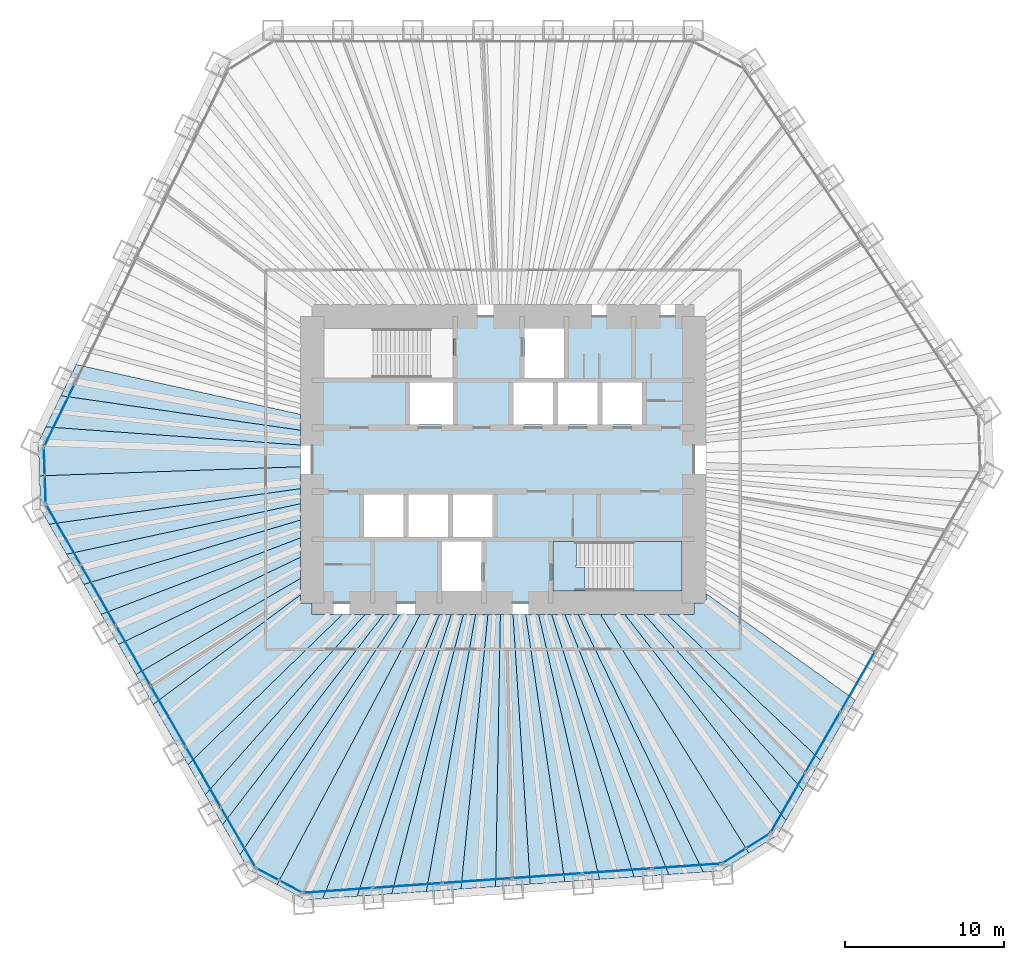
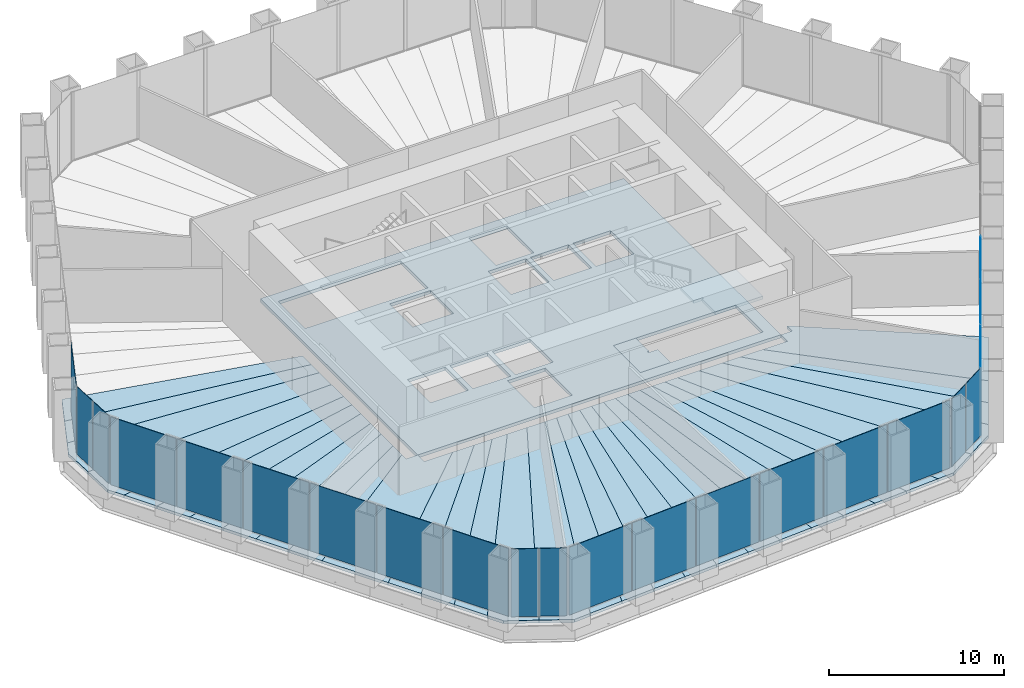
# One storey, part 8 of 14: 35 slabs, 22 plates, 8 elements without a shape of their own.
"""IFC4 building model written with IfcOpenShell, lengths in metres."""

from ifc_helpers import new_model, si_unit, direction, frame, origin, origin_2d, place, context, subcontext, project, spatial, polyline, rectangle, outline, extrude, material, layer, layer_set, type_object, element, aggregate, save


model = new_model("IFC4")

# Units and contexts
model_context = context("Model", 3, precision=1e-05, world=origin(), true_north=direction((0.0, 1.0)))
body_context = subcontext(model_context, "Body", "Model", "MODEL_VIEW")
ifc_project = project(units=[si_unit("LENGTHUNIT", "METRE"), si_unit("AREAUNIT", "SQUARE_METRE"), si_unit("VOLUMEUNIT", "CUBIC_METRE"), si_unit("PLANEANGLEUNIT", "RADIAN"), si_unit("MASSUNIT", "GRAM", prefix="KILO")], contexts=[model_context])

# Site, building, storey
site_placement = place(None, origin())
site = spatial("IfcSite", under=ifc_project, at=site_placement, CompositionType="ELEMENT")
building_placement = place(site_placement, origin())
building = spatial("IfcBuilding", under=site, at=building_placement, Name="Qingtian Harvest Tower", CompositionType="ELEMENT")
storey_placement = place(building_placement, frame((0.0, 0.0, 52.0)))
storey = spatial("IfcBuildingStorey", under=building, at=storey_placement, Name="L10", CompositionType="ELEMENT", Elevation=52.0)

# Slabs
ifc_material_1 = material(Name="Concrete fc' 35 MPa", Category="concrete")
ifc_layer_1 = layer(ifc_material_1, 0.199951171875)
ifc_layer_set_1 = layer_set([ifc_layer_1], Name="Composite floor slab FS20 200")
slab_type_1 = type_object("IfcSlabType", Name="Composite floor slab FS20 200", PredefinedType="FLOOR", material=ifc_layer_set_1)
slab_1_placement = place(storey_placement, frame((0.0, 0.0, -0.199951171875)))
element("IfcSlab", 1, at=slab_1_placement, inside=storey, type_object=slab_type_1, Name="Floor slab L10 panel D01", PredefinedType="FLOOR", context=body_context, shape_type="SweptSolid", body=[
    extrude(outline(polyline([(-29.157470703125, -1.018310546875), (-12.75, -0.447509765625), (-12.75, -1.822998046875), (-28.548583984375, -4.062255859375), (-29.08349609375, -3.135986328125), (-29.157470703125, -1.018310546875)])), origin(), (0.0, 0.0, 1.0), 0.199951171875),
])
slab_2_placement = place(storey_placement, frame((0.0, 0.0, -0.199951171875)))
element("IfcSlab", 2, at=slab_2_placement, inside=storey, type_object=slab_type_1, Name="Floor slab L10 panel D02", PredefinedType="FLOOR", context=body_context, shape_type="SweptSolid", body=[
    extrude(outline(polyline([(-12.75, -2.773681640625), (-27.45751953125, -5.9521484375), (-28.548583984375, -4.062255859375), (-12.75, -1.822998046875), (-12.75, -2.773681640625)])), origin(), (0.0, 0.0, 1.0), 0.199951171875),
])
slab_3_placement = place(storey_placement, frame((0.0, 0.0, -0.199951171875)))
element("IfcSlab", 3, at=slab_3_placement, inside=storey, type_object=slab_type_1, Name="Floor slab L10 panel D03", PredefinedType="FLOOR", context=body_context, shape_type="SweptSolid", body=[
    extrude(outline(polyline([(-12.75, -3.80322265625), (-26.366455078125, -7.842041015625), (-27.45751953125, -5.9521484375), (-12.75, -2.773681640625), (-12.75, -3.80322265625)])), origin(), (0.0, 0.0, 1.0), 0.199951171875),
])
slab_4_placement = place(storey_placement, frame((0.0, 0.0, -0.199951171875)))
element("IfcSlab", 4, at=slab_4_placement, inside=storey, type_object=slab_type_1, Name="Floor slab L10 panel D04", PredefinedType="FLOOR", context=body_context, shape_type="SweptSolid", body=[
    extrude(outline(polyline([(-12.75, -4.921875), (-25.275146484375, -9.732177734375), (-26.366455078125, -7.842041015625), (-12.75, -3.80322265625), (-12.75, -4.921875)])), origin(), (0.0, 0.0, 1.0), 0.199951171875),
])
slab_5_placement = place(storey_placement, frame((0.0, 0.0, -0.199951171875)))
element("IfcSlab", 5, at=slab_5_placement, inside=storey, type_object=slab_type_1, Name="Floor slab L10 panel D05", PredefinedType="FLOOR", context=body_context, shape_type="SweptSolid", body=[
    extrude(outline(polyline([(-12.75, -6.141357421875), (-24.18408203125, -11.6220703125), (-25.275146484375, -9.732177734375), (-12.75, -4.921875), (-12.75, -6.141357421875)])), origin(), (0.0, 0.0, 1.0), 0.199951171875),
])
slab_6_placement = place(storey_placement, frame((0.0, 0.0, -0.199951171875)))
element("IfcSlab", 6, at=slab_6_placement, inside=storey, type_object=slab_type_1, Name="Floor slab L10 panel D06", PredefinedType="FLOOR", context=body_context, shape_type="SweptSolid", body=[
    extrude(outline(polyline([(-12.75, -7.4765625), (-23.0927734375, -13.511962890625), (-24.18408203125, -11.6220703125), (-12.75, -6.141357421875), (-12.75, -7.4765625)])), origin(), (0.0, 0.0, 1.0), 0.199951171875),
])
slab_7_placement = place(storey_placement, frame((0.0, 0.0, -0.199951171875)))
element("IfcSlab", 7, at=slab_7_placement, inside=storey, type_object=slab_type_1, Name="Floor slab L10 panel D07", PredefinedType="FLOOR", context=body_context, shape_type="SweptSolid", body=[
    extrude(outline(polyline([(-12.75, -8.512451171875), (-22.00537109375, -15.3955078125), (-23.0927734375, -13.511962890625), (-12.75, -7.4765625), (-12.75, -8.512451171875)])), origin(), (0.0, 0.0, 1.0), 0.199951171875),
])
slab_8_placement = place(storey_placement, frame((0.0, 0.0, -0.199951171875)))
element("IfcSlab", 8, at=slab_8_placement, inside=storey, type_object=slab_type_1, Name="Floor slab L10 panel D09", PredefinedType="FLOOR", context=body_context, shape_type="SweptSolid", body=[
    extrude(outline(polyline([(-19.81982421875, -19.18115234375), (-22.00537109375, -15.3955078125), (-12.75, -8.512451171875), (-12.75, -9.0), (-12.0, -9.0), (-12.0, -9.75), (-10.1123046875, -9.75), (-19.81982421875, -19.18115234375)])), origin(), (0.0, 0.0, 1.0), 0.199951171875),
])
slab_9_placement = place(storey_placement, frame((0.0, 0.0, -0.199951171875)))
element("IfcSlab", 9, at=slab_9_placement, inside=storey, type_object=slab_type_1, Name="Floor slab L10 panel D10", PredefinedType="FLOOR", context=body_context, shape_type="SweptSolid", body=[
    extrude(outline(polyline([(-8.694580078125, -9.75), (-18.728515625, -21.0712890625), (-19.81982421875, -19.18115234375), (-10.1123046875, -9.75), (-8.694580078125, -9.75)])), origin(), (0.0, 0.0, 1.0), 0.199951171875),
])
slab_10_placement = place(storey_placement, frame((0.0, 0.0, -0.199951171875)))
element("IfcSlab", 10, at=slab_10_placement, inside=storey, type_object=slab_type_1, Name="Floor slab L10 panel D11", PredefinedType="FLOOR", context=body_context, shape_type="SweptSolid", body=[
    extrude(outline(polyline([(-7.511474609375, -9.75), (-17.63720703125, -22.961181640625), (-18.728515625, -21.0712890625), (-8.694580078125, -9.75), (-7.511474609375, -9.75)])), origin(), (0.0, 0.0, 1.0), 0.199951171875),
])
slab_11_placement = place(storey_placement, frame((0.0, 0.0, -0.199951171875)))
element("IfcSlab", 11, at=slab_11_placement, inside=storey, type_object=slab_type_1, Name="Floor slab L10 panel D12", PredefinedType="FLOOR", context=body_context, shape_type="SweptSolid", body=[
    extrude(outline(polyline([(-6.509033203125, -9.75), (-16.546142578125, -24.851318359375), (-17.63720703125, -22.961181640625), (-7.511474609375, -9.75), (-6.509033203125, -9.75)])), origin(), (0.0, 0.0, 1.0), 0.199951171875),
])
slab_12_placement = place(storey_placement, frame((0.0, 0.0, -0.199951171875)))
element("IfcSlab", 12, at=slab_12_placement, inside=storey, type_object=slab_type_1, Name="Floor slab L10 panel D13", PredefinedType="FLOOR", context=body_context, shape_type="SweptSolid", body=[
    extrude(outline(polyline([(-6.509033203125, -9.75), (-5.213623046875, -9.75), (-14.214599609375, -26.73291015625), (-16.01123046875, -25.777587890625), (-16.546142578125, -24.851318359375), (-6.509033203125, -9.75)])), origin(), (0.0, 0.0, 1.0), 0.199951171875),
])
slab_13_placement = place(storey_placement, frame((0.0, 0.0, -0.199951171875)))
element("IfcSlab", 13, at=slab_13_placement, inside=storey, type_object=slab_type_1, Name="Floor slab L10 panel D14", PredefinedType="FLOOR", context=body_context, shape_type="SweptSolid", body=[
    extrude(outline(polyline([(-5.213623046875, -9.75), (-4.006591796875, -9.75), (-11.350341796875, -27.614013671875), (-12.417236328125, -27.688720703125), (-14.214599609375, -26.73291015625), (-5.213623046875, -9.75)])), origin(), (0.0, 0.0, 1.0), 0.199951171875),
])
slab_14_placement = place(storey_placement, frame((0.0, 0.0, -0.199951171875)))
element("IfcSlab", 14, at=slab_14_placement, inside=storey, type_object=slab_type_1, Name="Floor slab L10 panel D15", PredefinedType="FLOOR", context=body_context, shape_type="SweptSolid", body=[
    extrude(outline(polyline([(-3.255859375, -9.75), (-9.17333984375, -27.4619140625), (-11.350341796875, -27.614013671875), (-4.006591796875, -9.75), (-3.255859375, -9.75)])), origin(), (0.0, 0.0, 1.0), 0.199951171875),
])
slab_15_placement = place(storey_placement, frame((0.0, 0.0, -0.199951171875)))
element("IfcSlab", 15, at=slab_15_placement, inside=storey, type_object=slab_type_1, Name="Floor slab L10 panel D16", PredefinedType="FLOOR", context=body_context, shape_type="SweptSolid", body=[
    extrude(outline(polyline([(-2.496826171875, -9.75), (-6.996337890625, -27.3095703125), (-9.17333984375, -27.4619140625), (-3.255859375, -9.75), (-2.496826171875, -9.75)])), origin(), (0.0, 0.0, 1.0), 0.199951171875),
])
slab_16_placement = place(storey_placement, frame((0.0, 0.0, -0.199951171875)))
element("IfcSlab", 16, at=slab_16_placement, inside=storey, type_object=slab_type_1, Name="Floor slab L10 panel D17", PredefinedType="FLOOR", context=body_context, shape_type="SweptSolid", body=[
    extrude(outline(polyline([(-1.729248046875, -9.75), (-4.8193359375, -27.1572265625), (-6.996337890625, -27.3095703125), (-2.496826171875, -9.75), (-1.729248046875, -9.75)])), origin(), (0.0, 0.0, 1.0), 0.199951171875),
])
slab_17_placement = place(storey_placement, frame((0.0, 0.0, -0.199951171875)))
element("IfcSlab", 17, at=slab_17_placement, inside=storey, type_object=slab_type_1, Name="Floor slab L10 panel D18", PredefinedType="FLOOR", context=body_context, shape_type="SweptSolid", body=[
    extrude(outline(polyline([(-0.952880859375, -9.75), (-2.642333984375, -27.005126953125), (-4.8193359375, -27.1572265625), (-1.729248046875, -9.75), (-0.952880859375, -9.75)])), origin(), (0.0, 0.0, 1.0), 0.199951171875),
])
slab_18_placement = place(storey_placement, frame((0.0, 0.0, -0.199951171875)))
element("IfcSlab", 18, at=slab_18_placement, inside=storey, type_object=slab_type_1, Name="Floor slab L10 panel D19", PredefinedType="FLOOR", context=body_context, shape_type="SweptSolid", body=[
    extrude(outline(polyline([(-0.16796875, -9.75), (-0.46533203125, -26.852783203125), (-2.642333984375, -27.005126953125), (-0.952880859375, -9.75), (-0.16796875, -9.75)])), origin(), (0.0, 0.0, 1.0), 0.199951171875),
])
slab_19_placement = place(storey_placement, frame((0.0, 0.0, -0.199951171875)))
element("IfcSlab", 19, at=slab_19_placement, inside=storey, type_object=slab_type_1, Name="Floor slab L10 panel D20", PredefinedType="FLOOR", context=body_context, shape_type="SweptSolid", body=[
    extrude(outline(polyline([(0.626220703125, -9.75), (1.711669921875, -26.70068359375), (-0.46533203125, -26.852783203125), (-0.16796875, -9.75), (0.626220703125, -9.75)])), origin(), (0.0, 0.0, 1.0), 0.199951171875),
])
slab_20_placement = place(storey_placement, frame((0.0, 0.0, -0.199951171875)))
element("IfcSlab", 20, at=slab_20_placement, inside=storey, type_object=slab_type_1, Name="Floor slab L10 panel D21", PredefinedType="FLOOR", context=body_context, shape_type="SweptSolid", body=[
    extrude(outline(polyline([(1.42919921875, -9.75), (3.888671875, -26.54833984375), (1.711669921875, -26.70068359375), (0.626220703125, -9.75), (1.42919921875, -9.75)])), origin(), (0.0, 0.0, 1.0), 0.199951171875),
])
slab_21_placement = place(storey_placement, frame((0.0, 0.0, -0.199951171875)))
element("IfcSlab", 21, at=slab_21_placement, inside=storey, type_object=slab_type_1, Name="Floor slab L10 panel D22", PredefinedType="FLOOR", context=body_context, shape_type="SweptSolid", body=[
    extrude(outline(polyline([(2.24169921875, -9.75), (6.065673828125, -26.396240234375), (3.888671875, -26.54833984375), (1.42919921875, -9.75), (2.24169921875, -9.75)])), origin(), (0.0, 0.0, 1.0), 0.199951171875),
])
slab_22_placement = place(storey_placement, frame((0.0, 0.0, -0.199951171875)))
element("IfcSlab", 22, at=slab_22_placement, inside=storey, type_object=slab_type_1, Name="Floor slab L10 panel D23", PredefinedType="FLOOR", context=body_context, shape_type="SweptSolid", body=[
    extrude(outline(polyline([(3.0634765625, -9.75), (8.24267578125, -26.243896484375), (6.065673828125, -26.396240234375), (2.24169921875, -9.75), (3.0634765625, -9.75)])), origin(), (0.0, 0.0, 1.0), 0.199951171875),
])
slab_23_placement = place(storey_placement, frame((0.0, 0.0, -0.199951171875)))
element("IfcSlab", 23, at=slab_23_placement, inside=storey, type_object=slab_type_1, Name="Floor slab L10 panel D24", PredefinedType="FLOOR", context=body_context, shape_type="SweptSolid", body=[
    extrude(outline(polyline([(3.894775390625, -9.75), (10.419677734375, -26.091796875), (8.24267578125, -26.243896484375), (3.0634765625, -9.75), (3.894775390625, -9.75)])), origin(), (0.0, 0.0, 1.0), 0.199951171875),
])
slab_24_placement = place(storey_placement, frame((0.0, 0.0, -0.199951171875)))
element("IfcSlab", 24, at=slab_24_placement, inside=storey, type_object=slab_type_1, Name="Floor slab L10 panel D25", PredefinedType="FLOOR", context=body_context, shape_type="SweptSolid", body=[
    extrude(outline(polyline([(4.736083984375, -9.75), (12.5966796875, -25.939453125), (10.419677734375, -26.091796875), (3.894775390625, -9.75), (4.736083984375, -9.75)])), origin(), (0.0, 0.0, 1.0), 0.199951171875),
])
slab_25_placement = place(storey_placement, frame((0.0, 0.0, -0.199951171875)))
element("IfcSlab", 25, at=slab_25_placement, inside=storey, type_object=slab_type_1, Name="Floor slab L10 panel D26", PredefinedType="FLOOR", context=body_context, shape_type="SweptSolid", body=[
    extrude(outline(polyline([(4.736083984375, -9.75), (6.136474609375, -9.75), (15.4609375, -24.74169921875), (13.663330078125, -25.864990234375), (12.5966796875, -25.939453125), (4.736083984375, -9.75)])), origin(), (0.0, 0.0, 1.0), 0.199951171875),
])
slab_26_placement = place(storey_placement, frame((0.0, 0.0, -0.199951171875)))
element("IfcSlab", 26, at=slab_26_placement, inside=storey, type_object=slab_type_1, Name="Floor slab L10 panel D27", PredefinedType="FLOOR", context=body_context, shape_type="SweptSolid", body=[
    extrude(outline(polyline([(6.136474609375, -9.75), (7.66748046875, -9.75), (17.79248046875, -22.692626953125), (17.257568359375, -23.618896484375), (15.4609375, -24.74169921875), (6.136474609375, -9.75)])), origin(), (0.0, 0.0, 1.0), 0.199951171875),
])
slab_27_placement = place(storey_placement, frame((0.0, 0.0, -0.199951171875)))
element("IfcSlab", 27, at=slab_27_placement, inside=storey, type_object=slab_type_1, Name="Floor slab L10 panel D28", PredefinedType="FLOOR", context=body_context, shape_type="SweptSolid", body=[
    extrude(outline(polyline([(8.88037109375, -9.75), (18.883544921875, -20.802734375), (17.79248046875, -22.692626953125), (7.66748046875, -9.75), (8.88037109375, -9.75)])), origin(), (0.0, 0.0, 1.0), 0.199951171875),
])
slab_28_placement = place(storey_placement, frame((0.0, 0.0, -0.199951171875)))
element("IfcSlab", 28, at=slab_28_placement, inside=storey, type_object=slab_type_1, Name="Floor slab L10 panel D29", PredefinedType="FLOOR", context=body_context, shape_type="SweptSolid", body=[
    extrude(outline(polyline([(10.337158203125, -9.75), (19.974853515625, -18.91259765625), (18.883544921875, -20.802734375), (8.88037109375, -9.75), (10.337158203125, -9.75)])), origin(), (0.0, 0.0, 1.0), 0.199951171875),
])
slab_29_placement = place(storey_placement, frame((0.0, 0.0, -0.199951171875)))
element("IfcSlab", 29, at=slab_29_placement, inside=storey, type_object=slab_type_1, Name="Floor slab L10 panel D31", PredefinedType="FLOOR", context=body_context, shape_type="SweptSolid", body=[
    extrude(outline(polyline([(12.75, -8.4091796875), (22.159423828125, -15.128662109375), (19.974853515625, -18.91259765625), (10.337158203125, -9.75), (12.0, -9.75), (12.0, -9.0), (12.75, -9.0), (12.75, -8.4091796875)])), origin(), (0.0, 0.0, 1.0), 0.199951171875),
])
slab_30_placement = place(storey_placement, frame((0.0, 0.0, -0.199951171875)))
element("IfcSlab", 30, at=slab_30_placement, inside=storey, type_object=slab_type_1, Name="Floor slab L10 panel D76", PredefinedType="FLOOR", context=body_context, shape_type="SweptSolid", body=[
    extrude(outline(polyline([(-12.75, 1.8525390625), (-27.805908203125, 4.022216796875), (-26.84912109375, 5.98388671875), (-12.75, 2.8505859375), (-12.75, 1.8525390625)])), origin(), (0.0, 0.0, 1.0), 0.199951171875),
])
slab_31_placement = place(storey_placement, frame((0.0, 0.0, -0.199951171875)))
element("IfcSlab", 31, at=slab_31_placement, inside=storey, type_object=slab_type_1, Name="Floor slab L10 panel D77", PredefinedType="FLOOR", context=body_context, shape_type="SweptSolid", body=[
    extrude(outline(polyline([(-12.75, 0.9208984375), (-28.762451171875, 2.060791015625), (-27.805908203125, 4.022216796875), (-12.75, 1.8525390625), (-12.75, 0.9208984375)])), origin(), (0.0, 0.0, 1.0), 0.199951171875),
])
slab_32_placement = place(storey_placement, frame((0.0, 0.0, -0.199951171875)))
element("IfcSlab", 32, at=slab_32_placement, inside=storey, type_object=slab_type_1, Name="Floor slab L10 panel D78", PredefinedType="FLOOR", context=body_context, shape_type="SweptSolid", body=[
    extrude(outline(polyline([(-12.75, 0.9208984375), (-12.75, -0.447509765625), (-29.157470703125, -1.018310546875), (-29.2314453125, 1.099609375), (-28.762451171875, 2.060791015625), (-12.75, 0.9208984375)])), origin(), (0.0, 0.0, 1.0), 0.199951171875),
])
ifc_material_2 = material(Name="Concrete fc' 35 MPa", Category="concrete")
ifc_layer_2 = layer(ifc_material_2, 0.219970703125)
ifc_layer_set_2 = layer_set([ifc_layer_2], Name="Core floor slab CS22 220")
slab_type_2 = type_object("IfcSlabType", Name="Core floor slab CS22 220", PredefinedType="FLOOR", material=ifc_layer_set_2)
slab_33_placement = place(storey_placement, frame((0.0, 0.0, -0.219970703125)))
element("IfcSlab", 33, at=slab_33_placement, inside=storey, type_object=slab_type_2, Name="Core floor slab L10", PredefinedType="FLOOR", context=body_context, shape_type="SweptSolid", body=[
    extrude(outline(polyline([(-12.0, -9.0), (12.0, -9.0), (12.0, 9.0), (-12.0, 9.0), (-12.0, -9.0)]), holes=[polyline([(-11.25, 5.14990234375), (-3.14990234375, 5.14990234375), (-3.14990234375, 8.25), (-11.25, 8.25), (-11.25, 5.14990234375)]), polyline([(3.14990234375, -8.25), (11.25, -8.25), (11.25, -5.14990234375), (3.14990234375, -5.14990234375), (3.14990234375, -8.25)]), polyline([(1.35009765625, 5.14990234375), (3.85009765625, 5.14990234375), (3.85009765625, 8.25), (1.35009765625, 8.25), (1.35009765625, 5.14990234375)]), polyline([(-3.85009765625, -8.25), (-1.35009765625, -8.25), (-1.35009765625, -5.14990234375), (-3.85009765625, -5.14990234375), (-3.85009765625, -8.25)]), polyline([(-5.85009765625, 2.199951171875), (-3.14990234375, 2.199951171875), (-3.14990234375, 4.85009765625), (-5.85009765625, 4.85009765625), (-5.85009765625, 2.199951171875)]), polyline([(0.64990234375, 2.199951171875), (3.14990234375, 2.199951171875), (3.14990234375, 4.85009765625), (0.64990234375, 4.85009765625), (0.64990234375, 2.199951171875)]), polyline([(3.449951171875, 2.199951171875), (5.949951171875, 2.199951171875), (5.949951171875, 4.85009765625), (3.449951171875, 4.85009765625), (3.449951171875, 2.199951171875)]), polyline([(6.25, 2.199951171875), (8.75, 2.199951171875), (8.75, 4.85009765625), (6.25, 4.85009765625), (6.25, 2.199951171875)]), polyline([(-8.75, -4.85009765625), (-6.25, -4.85009765625), (-6.25, -2.199951171875), (-8.75, -2.199951171875), (-8.75, -4.85009765625)]), polyline([(-5.949951171875, -4.85009765625), (-3.449951171875, -4.85009765625), (-3.449951171875, -2.199951171875), (-5.949951171875, -2.199951171875), (-5.949951171875, -4.85009765625)]), polyline([(-3.14990234375, -4.85009765625), (-0.64990234375, -4.85009765625), (-0.64990234375, -2.199951171875), (-3.14990234375, -2.199951171875), (-3.14990234375, -4.85009765625)])]), origin(), (0.0, 0.0, 1.0), 0.219970703125),
])

# Curtain wall, plates
ifc_material_3 = material(Name="Bronze-anodised aluminium curtain wall", Category="aluminium")
curtain_wall_type = type_object("IfcCurtainWallType", Name="Curtain wall CW2 farm reception", PredefinedType="USERDEFINED", material=ifc_material_3)
curtain_wall_1_placement = place(storey_placement, origin())
curtain_wall_1 = element("IfcCurtainWall", 34, at=curtain_wall_1_placement, inside=storey, type_object=curtain_wall_type, Name="Curtain wall CW2 L10 SE0-5", ObjectType="RECESSED CURTAIN WALL", PredefinedType="USERDEFINED")
ifc_material_4 = material(Name="Bronze-tinted laminated insulating glass", Category="glass")
ifc_layer_3 = layer(ifc_material_4, 0.030029296875)
ifc_layer_set_3 = layer_set([ifc_layer_3], Name="Glazed panel CWP tinted IGU")
plate_type = type_object("IfcPlateType", Name="Glazed panel CWP tinted IGU", PredefinedType="CURTAIN_PANEL", material=ifc_layer_set_3)
plate_1_placement = place(storey_placement, frame((22.30419921875, -13.968017578125, 0.06494140625), z_axis=(0.0, 0.0, 1.0), x_axis=(-0.5, -0.866025403784, 0.0)))
plate_1 = element("IfcPlate", 35, at=plate_1_placement, type_object=plate_type, Name="CW2 panel 4.1", PredefinedType="CURTAIN_PANEL", context=body_context, shape_type="SweptSolid", body=[
    extrude(rectangle(XDim=4.339599609375, YDim=0.030029296875, at=origin_2d()), origin(), (0.0, 0.0, 1.0), 4.735107421875),
])
plate_2_placement = place(storey_placement, frame((20.101806640625, -17.782470703125, 0.06494140625), z_axis=(0.0, 0.0, 1.0), x_axis=(-0.5, -0.866025403784, 0.0)))
plate_2 = element("IfcPlate", 36, at=plate_2_placement, type_object=plate_type, Name="CW2 panel 5.1", PredefinedType="CURTAIN_PANEL", context=body_context, shape_type="SweptSolid", body=[
    extrude(rectangle(XDim=4.339599609375, YDim=0.030029296875, at=origin_2d()), origin(), (0.0, 0.0, 1.0), 4.735107421875),
])
plate_3_placement = place(storey_placement, frame((17.90771484375, -21.5830078125, 0.06494140625), z_axis=(0.0, 0.0, 1.0), x_axis=(-0.5, -0.866025403784, 0.0)))
plate_3 = element("IfcPlate", 37, at=plate_3_placement, type_object=plate_type, Name="CW2 panel 6.1", PredefinedType="CURTAIN_PANEL", context=body_context, shape_type="SweptSolid", body=[
    extrude(rectangle(XDim=4.30712890625, YDim=0.030029296875, at=origin_2d()), origin(), (0.0, 0.0, 1.0), 4.735107421875),
])
aggregate(curtain_wall_1, [plate_1, plate_2, plate_3])

curtain_wall_2_placement = place(storey_placement, origin())
curtain_wall_2 = element("IfcCurtainWall", 38, at=curtain_wall_2_placement, inside=storey, type_object=curtain_wall_type, Name="Curtain wall CW2 L10 SEC", ObjectType="RECESSED CURTAIN WALL", PredefinedType="USERDEFINED")
plate_4_placement = place(storey_placement, frame((16.025390625, -23.9873046875, 0.06494140625), z_axis=(0.0, 0.0, 1.0), x_axis=(-0.848048096156, -0.529919264233, 0.0)))
plate_4 = element("IfcPlate", 39, at=plate_4_placement, type_object=plate_type, Name="CW2 panel 1.1", PredefinedType="CURTAIN_PANEL", context=body_context, shape_type="SweptSolid", body=[
    extrude(rectangle(XDim=1.69287109375, YDim=0.030029296875, at=origin_2d()), origin(), (0.0, 0.0, 1.0), 4.735107421875),
])
plate_5_placement = place(storey_placement, frame((14.53466796875, -24.9189453125, 0.06494140625), z_axis=(0.0, 0.0, 1.0), x_axis=(-0.848048096156, -0.529919264233, 0.0)))
plate_5 = element("IfcPlate", 40, at=plate_5_placement, type_object=plate_type, Name="CW2 panel 2.1", PredefinedType="CURTAIN_PANEL", context=body_context, shape_type="SweptSolid", body=[
    extrude(rectangle(XDim=1.69287109375, YDim=0.030029296875, at=origin_2d()), origin(), (0.0, 0.0, 1.0), 4.735107421875),
])
aggregate(curtain_wall_2, [plate_4, plate_5])

curtain_wall_3_placement = place(storey_placement, origin())
curtain_wall_3 = element("IfcCurtainWall", 41, at=curtain_wall_3_placement, inside=storey, type_object=curtain_wall_type, Name="Curtain wall CW2 L10 S0-5", ObjectType="RECESSED CURTAIN WALL", PredefinedType="USERDEFINED")
plate_6_placement = place(storey_placement, frame((11.548583984375, -25.556640625, 0.06494140625), z_axis=(0.0, 0.0, 1.0), x_axis=(-0.99756405026, -0.069756473744, 0.0)))
plate_6 = element("IfcPlate", 42, at=plate_6_placement, type_object=plate_type, Name="CW2 panel 1.1", PredefinedType="CURTAIN_PANEL", context=body_context, shape_type="SweptSolid", body=[
    extrude(rectangle(XDim=4.30712890625, YDim=0.030029296875, at=origin_2d()), origin(), (0.0, 0.0, 1.0), 4.735107421875),
])
plate_7_placement = place(storey_placement, frame((7.1708984375, -25.86279296875, 0.06494140625), z_axis=(0.0, 0.0, 1.0), x_axis=(-0.99756405026, -0.069756473744, 0.0)))
plate_7 = element("IfcPlate", 43, at=plate_7_placement, type_object=plate_type, Name="CW2 panel 2.1", PredefinedType="CURTAIN_PANEL", context=body_context, shape_type="SweptSolid", body=[
    extrude(rectangle(XDim=4.339599609375, YDim=0.030029296875, at=origin_2d()), origin(), (0.0, 0.0, 1.0), 4.735107421875),
])
plate_8_placement = place(storey_placement, frame((2.77685546875, -26.169921875, 0.06494140625), z_axis=(0.0, 0.0, 1.0), x_axis=(-0.99756405026, -0.069756473744, 0.0)))
plate_8 = element("IfcPlate", 44, at=plate_8_placement, type_object=plate_type, Name="CW2 panel 3.1", PredefinedType="CURTAIN_PANEL", context=body_context, shape_type="SweptSolid", body=[
    extrude(rectangle(XDim=4.339599609375, YDim=0.030029296875, at=origin_2d()), origin(), (0.0, 0.0, 1.0), 4.735107421875),
])
plate_9_placement = place(storey_placement, frame((-1.616943359375, -26.477294921875, 0.06494140625), z_axis=(0.0, 0.0, 1.0), x_axis=(-0.99756405026, -0.069756473744, 0.0)))
plate_9 = element("IfcPlate", 45, at=plate_9_placement, type_object=plate_type, Name="CW2 panel 4.1", PredefinedType="CURTAIN_PANEL", context=body_context, shape_type="SweptSolid", body=[
    extrude(rectangle(XDim=4.339599609375, YDim=0.030029296875, at=origin_2d()), origin(), (0.0, 0.0, 1.0), 4.735107421875),
])
plate_10_placement = place(storey_placement, frame((-6.0107421875, -26.784423828125, 0.06494140625), z_axis=(0.0, 0.0, 1.0), x_axis=(-0.99756405026, -0.069756473744, 0.0)))
plate_10 = element("IfcPlate", 46, at=plate_10_placement, type_object=plate_type, Name="CW2 panel 5.1", PredefinedType="CURTAIN_PANEL", context=body_context, shape_type="SweptSolid", body=[
    extrude(rectangle(XDim=4.339599609375, YDim=0.030029296875, at=origin_2d()), origin(), (0.0, 0.0, 1.0), 4.735107421875),
])
plate_11_placement = place(storey_placement, frame((-10.388427734375, -27.090576171875, 0.06494140625), z_axis=(0.0, 0.0, 1.0), x_axis=(-0.99756405026, -0.069756473744, 0.0)))
plate_11 = element("IfcPlate", 47, at=plate_11_placement, type_object=plate_type, Name="CW2 panel 6.1", PredefinedType="CURTAIN_PANEL", context=body_context, shape_type="SweptSolid", body=[
    extrude(rectangle(XDim=4.30712890625, YDim=0.030029296875, at=origin_2d()), origin(), (0.0, 0.0, 1.0), 4.735107421875),
])
aggregate(curtain_wall_3, [plate_6, plate_7, plate_8, plate_9, plate_10, plate_11])

curtain_wall_4_placement = place(storey_placement, origin())
curtain_wall_4 = element("IfcCurtainWall", 48, at=curtain_wall_4_placement, inside=storey, type_object=curtain_wall_type, Name="Curtain wall CW2 L10 SC", ObjectType="RECESSED CURTAIN WALL", PredefinedType="USERDEFINED")
plate_12_placement = place(storey_placement, frame((-13.350830078125, -26.84716796875, 0.06494140625), z_axis=(0.0, 0.0, 1.0), x_axis=(-0.882947592859, 0.469471562786, 0.0)))
plate_12 = element("IfcPlate", 49, at=plate_12_placement, type_object=plate_type, Name="CW2 panel 1.1", PredefinedType="CURTAIN_PANEL", context=body_context, shape_type="SweptSolid", body=[
    extrude(rectangle(XDim=1.56689453125, YDim=0.030029296875, at=origin_2d()), origin(), (0.0, 0.0, 1.0), 4.735107421875),
])
plate_13_placement = place(storey_placement, frame((-14.79150390625, -26.0810546875, 0.06494140625), z_axis=(0.0, 0.0, 1.0), x_axis=(-0.882947592859, 0.469471562786, 0.0)))
plate_13 = element("IfcPlate", 50, at=plate_13_placement, type_object=plate_type, Name="CW2 panel 2.1", PredefinedType="CURTAIN_PANEL", context=body_context, shape_type="SweptSolid", body=[
    extrude(rectangle(XDim=1.56689453125, YDim=0.030029296875, at=origin_2d()), origin(), (0.0, 0.0, 1.0), 4.735107421875),
])
aggregate(curtain_wall_4, [plate_12, plate_13])

curtain_wall_5_placement = place(storey_placement, origin())
curtain_wall_5 = element("IfcCurtainWall", 51, at=curtain_wall_5_placement, inside=storey, type_object=curtain_wall_type, Name="Curtain wall CW2 L10 SW0-5", ObjectType="RECESSED CURTAIN WALL", PredefinedType="USERDEFINED")
plate_14_placement = place(storey_placement, frame((-16.64990234375, -23.76123046875, 0.06494140625), z_axis=(0.0, 0.0, 1.0), x_axis=(-0.5, 0.866025403784, 0.0)))
plate_14 = element("IfcPlate", 52, at=plate_14_placement, type_object=plate_type, Name="CW2 panel 1.1", PredefinedType="CURTAIN_PANEL", context=body_context, shape_type="SweptSolid", body=[
    extrude(rectangle(XDim=4.30712890625, YDim=0.030029296875, at=origin_2d()), origin(), (0.0, 0.0, 1.0), 4.735107421875),
])
plate_15_placement = place(storey_placement, frame((-18.84423828125, -19.9609375, 0.06494140625), z_axis=(0.0, 0.0, 1.0), x_axis=(-0.5, 0.866025403784, 0.0)))
plate_15 = element("IfcPlate", 53, at=plate_15_placement, type_object=plate_type, Name="CW2 panel 2.1", PredefinedType="CURTAIN_PANEL", context=body_context, shape_type="SweptSolid", body=[
    extrude(rectangle(XDim=4.339599609375, YDim=0.030029296875, at=origin_2d()), origin(), (0.0, 0.0, 1.0), 4.735107421875),
])
plate_16_placement = place(storey_placement, frame((-21.04638671875, -16.146484375, 0.06494140625), z_axis=(0.0, 0.0, 1.0), x_axis=(-0.5, 0.866025403784, 0.0)))
plate_16 = element("IfcPlate", 54, at=plate_16_placement, type_object=plate_type, Name="CW2 panel 3.1", PredefinedType="CURTAIN_PANEL", context=body_context, shape_type="SweptSolid", body=[
    extrude(rectangle(XDim=4.339599609375, YDim=0.030029296875, at=origin_2d()), origin(), (0.0, 0.0, 1.0), 4.735107421875),
])
plate_17_placement = place(storey_placement, frame((-23.248779296875, -12.33203125, 0.06494140625), z_axis=(0.0, 0.0, 1.0), x_axis=(-0.5, 0.866025403784, 0.0)))
plate_17 = element("IfcPlate", 55, at=plate_17_placement, type_object=plate_type, Name="CW2 panel 4.1", PredefinedType="CURTAIN_PANEL", context=body_context, shape_type="SweptSolid", body=[
    extrude(rectangle(XDim=4.339599609375, YDim=0.030029296875, at=origin_2d()), origin(), (0.0, 0.0, 1.0), 4.735107421875),
])
plate_18_placement = place(storey_placement, frame((-25.451171875, -8.517333984375, 0.06494140625), z_axis=(0.0, 0.0, 1.0), x_axis=(-0.5, 0.866025403784, 0.0)))
plate_18 = element("IfcPlate", 56, at=plate_18_placement, type_object=plate_type, Name="CW2 panel 5.1", PredefinedType="CURTAIN_PANEL", context=body_context, shape_type="SweptSolid", body=[
    extrude(rectangle(XDim=4.339599609375, YDim=0.030029296875, at=origin_2d()), origin(), (0.0, 0.0, 1.0), 4.735107421875),
])
plate_19_placement = place(storey_placement, frame((-27.645263671875, -4.717041015625, 0.06494140625), z_axis=(0.0, 0.0, 1.0), x_axis=(-0.5, 0.866025403784, 0.0)))
plate_19 = element("IfcPlate", 57, at=plate_19_placement, type_object=plate_type, Name="CW2 panel 6.1", PredefinedType="CURTAIN_PANEL", context=body_context, shape_type="SweptSolid", body=[
    extrude(rectangle(XDim=4.30712890625, YDim=0.030029296875, at=origin_2d()), origin(), (0.0, 0.0, 1.0), 4.735107421875),
])
aggregate(curtain_wall_5, [plate_14, plate_15, plate_16, plate_17, plate_18, plate_19])

curtain_wall_6_placement = place(storey_placement, origin())
curtain_wall_6 = element("IfcCurtainWall", 58, at=curtain_wall_6_placement, inside=storey, type_object=curtain_wall_type, Name="Curtain wall CW2 L10 SWC", ObjectType="RECESSED CURTAIN WALL", PredefinedType="USERDEFINED")
plate_20_placement = place(storey_placement, frame((-28.786376953125, -1.884765625, 0.06494140625), z_axis=(0.0, 0.0, 1.0), x_axis=(-0.034899496703, 0.999390827019, 0.0)))
plate_20 = element("IfcPlate", 59, at=plate_20_placement, type_object=plate_type, Name="CW2 panel 1.1", PredefinedType="CURTAIN_PANEL", context=body_context, shape_type="SweptSolid", body=[
    extrude(rectangle(XDim=1.69287109375, YDim=0.030029296875, at=origin_2d()), origin(), (0.0, 0.0, 1.0), 4.735107421875),
])
plate_21_placement = place(storey_placement, frame((-28.84765625, -0.1279296875, 0.06494140625), z_axis=(0.0, 0.0, 1.0), x_axis=(-0.034899496703, 0.999390827019, 0.0)))
plate_21 = element("IfcPlate", 60, at=plate_21_placement, type_object=plate_type, Name="CW2 panel 2.1", PredefinedType="CURTAIN_PANEL", context=body_context, shape_type="SweptSolid", body=[
    extrude(rectangle(XDim=1.69287109375, YDim=0.030029296875, at=origin_2d()), origin(), (0.0, 0.0, 1.0), 4.735107421875),
])
aggregate(curtain_wall_6, [plate_20, plate_21])

# Curtain wall, plate
curtain_wall_7_placement = place(storey_placement, origin())
curtain_wall_7 = element("IfcCurtainWall", 61, at=curtain_wall_7_placement, inside=storey, type_object=curtain_wall_type, Name="Curtain wall CW2 L10 NW0-5", ObjectType="RECESSED CURTAIN WALL", PredefinedType="USERDEFINED")
plate_22_placement = place(storey_placement, frame((-27.906982421875, 2.777099609375, 0.06494140625), z_axis=(0.0, 0.0, 1.0), x_axis=(0.438371146789, 0.898794046299, 0.0)))
plate_22 = element("IfcPlate", 62, at=plate_22_placement, type_object=plate_type, Name="CW2 panel 1.1", PredefinedType="CURTAIN_PANEL", context=body_context, shape_type="SweptSolid", body=[
    extrude(rectangle(XDim=4.30712890625, YDim=0.030029296875, at=origin_2d()), origin(), (0.0, 0.0, 1.0), 4.735107421875),
])
aggregate(curtain_wall_7, [plate_22])

# Stair, slabs
ifc_material_5 = material(Name="Concrete fc' 35 MPa", Category="concrete")
stair_type = type_object("IfcStairType", Name="Special stair ST2 5000", PredefinedType="HALF_TURN_STAIR", material=ifc_material_5)
stair_placement = place(storey_placement, origin())
stair = element("IfcStair", 63, at=stair_placement, inside=storey, type_object=stair_type, Name="Special stair S2 L10", PredefinedType="HALF_TURN_STAIR")
ifc_material_6 = material(Name="Concrete fc' 35 MPa", Category="concrete")
ifc_layer_4 = layer(ifc_material_6, 0.199951171875)
ifc_layer_set_4 = layer_set([ifc_layer_4], Name="Stair landing SL2 200")
slab_type_3 = type_object("IfcSlabType", Name="Stair landing SL2 200", PredefinedType="LANDING", material=ifc_layer_set_4)
slab_34_placement = place(storey_placement, frame((0.0, 0.0, -0.199951171875)))
slab_34 = element("IfcSlab", 64, at=slab_34_placement, type_object=slab_type_3, Name="S2 landing 1", PredefinedType="LANDING", context=body_context, shape_type="SweptSolid", body=[
    extrude(outline(polyline([(5.155029296875, -8.25), (3.14990234375, -8.25), (3.14990234375, -5.14990234375), (4.64990234375, -5.14990234375), (4.64990234375, -6.64990234375), (4.550048828125, -6.64990234375), (4.550048828125, -6.75), (5.155029296875, -6.75), (5.155029296875, -8.25)])), origin(), (0.0, 0.0, 1.0), 0.199951171875),
])
slab_35_placement = place(storey_placement, frame((0.0, 0.0, 2.300048828125)))
slab_35 = element("IfcSlab", 65, at=slab_35_placement, type_object=slab_type_3, Name="S2 landing 2", PredefinedType="LANDING", context=body_context, shape_type="SweptSolid", body=[
    extrude(outline(polyline([(8.090087890625, -8.25), (8.090087890625, -6.75), (8.18994140625, -6.75), (8.18994140625, -6.64990234375), (7.5849609375, -6.64990234375), (7.5849609375, -5.14990234375), (11.25, -5.14990234375), (11.25, -8.25), (8.090087890625, -8.25)])), origin(), (0.0, 0.0, 1.0), 0.199951171875),
])
aggregate(stair, [slab_34, slab_35])

save(model, "model.ifc")
